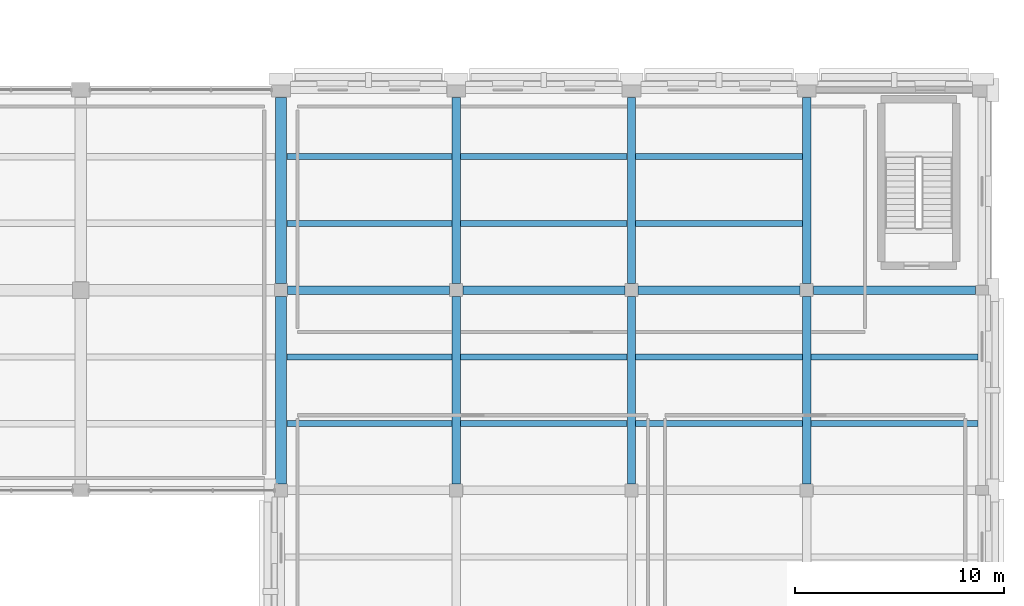
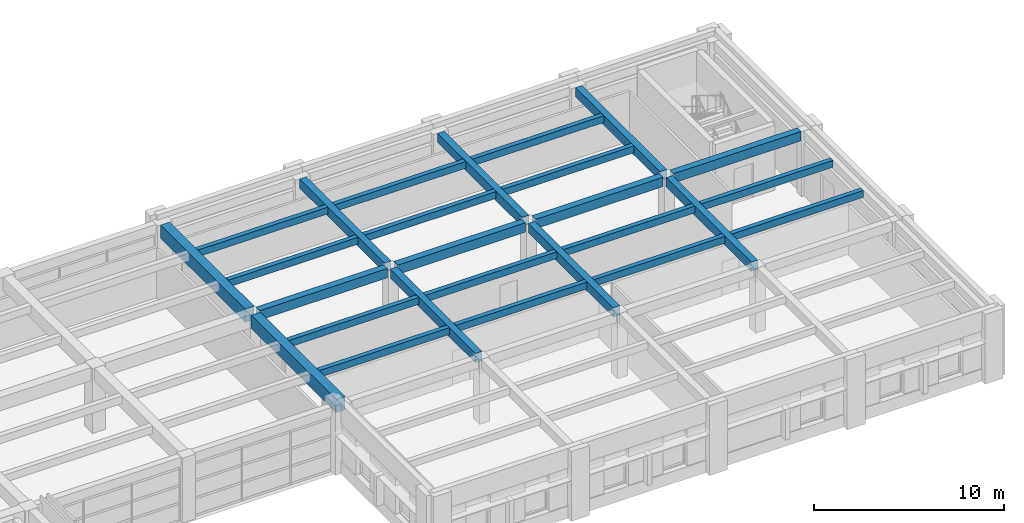
# One storey, part 22 of 49: 26 beams.
"""IFC4 building model written with IfcOpenShell, lengths in metres."""

from ifc_helpers import new_model, si_unit, direction, frame, origin, origin_2d, place, context, subcontext, project, spatial, rectangle, extrude, material, material_profile, profile_set, type_object, element, save


model = new_model("IFC4")

# Units and contexts
model_context = context("Model", 3, precision=1e-05, world=origin(), true_north=direction((0.0, 1.0)))
body_context = subcontext(model_context, "Body", "Model", "MODEL_VIEW")
ifc_project = project(units=[si_unit("LENGTHUNIT", "METRE"), si_unit("AREAUNIT", "SQUARE_METRE"), si_unit("VOLUMEUNIT", "CUBIC_METRE"), si_unit("PLANEANGLEUNIT", "RADIAN"), si_unit("MASSUNIT", "GRAM", prefix="KILO")], contexts=[model_context])

# Site, building, storey
site_placement = place(None, origin())
site = spatial("IfcSite", under=ifc_project, at=site_placement, CompositionType="ELEMENT")
building_placement = place(site_placement, origin())
building = spatial("IfcBuilding", under=site, at=building_placement, Name="Bempovik Park Faculty of Sciences", CompositionType="ELEMENT")
storey_placement = place(building_placement, frame((0.0, 0.0, 5.39990234375)))
storey = spatial("IfcBuildingStorey", under=building, at=storey_placement, Name="L01", CompositionType="ELEMENT", Elevation=5.39990234375)

# Beams
ifc_material_1 = material(Name="Concrete C35/45", Category="concrete")
ifc_material_profile_1 = material_profile(ifc_material_1, rectangle(XDim=0.39990234375, YDim=0.60009765625, at=origin_2d()), Name="RC 400x600")
ifc_profile_set_1 = profile_set([ifc_material_profile_1], Name="Concrete C35/45")
beam_type_1 = type_object("IfcBeamType", Name="B-020 RC 400x600", PredefinedType="BEAM", material=ifc_profile_set_1)
beam_1_placement = place(storey_placement, frame((137.115966796875, 77.39990234375, 3.880126953125), z_axis=(1.0, 0.0, 0.0), x_axis=(0.0, 1.0, 0.0)))
element("IfcBeam", 1, at=beam_1_placement, inside=storey, type_object=beam_type_1, Name="L01 Beam X (136.8-145.2, y=77.4)", PredefinedType="BEAM", context=body_context, shape_type="SweptSolid", body=[
    extrude(rectangle(XDim=0.39990234375, YDim=0.60009765625, at=origin_2d()), origin(), (0.0, 0.0, 1.0), 7.76806640625),
])
beam_2_placement = place(storey_placement, frame((145.51611328125, 77.39990234375, 3.880126953125), z_axis=(1.0, 0.0, 0.0), x_axis=(0.0, 1.0, 0.0)))
element("IfcBeam", 2, at=beam_2_placement, inside=storey, type_object=beam_type_1, Name="L01 Beam X (145.2-153.6, y=77.4)", PredefinedType="BEAM", context=body_context, shape_type="SweptSolid", body=[
    extrude(rectangle(XDim=0.39990234375, YDim=0.60009765625, at=origin_2d()), origin(), (0.0, 0.0, 1.0), 7.767822265625),
])
for number, where, z_axis, x_axis, name in (
    (3, (153.916015625, 77.39990234375, 3.880126953125), (1.0, 0.0, 0.0), (0.0, 1.0, 0.0), "L01 Beam X (153.6-162.0, y=77.4)"),
    (4, (162.31591796875, 77.39990234375, 3.880126953125), (1.0, 0.0, 0.0), (0.0, 1.0, 0.0), "L01 Beam X (162.0-170.4, y=77.4)"),
):
    element("IfcBeam", number, at=place(storey_placement, frame(where, z_axis=z_axis, x_axis=x_axis)), inside=storey, type_object=beam_type_1, Name=name, PredefinedType="BEAM", context=body_context, shape_type="SweptSolid", body=[
        extrude(rectangle(XDim=0.39990234375, YDim=0.60009765625, at=origin_2d()), origin(), (0.0, 0.0, 1.0), 7.76806640625),
    ])
beam_3_placement = place(storey_placement, frame((145.199951171875, 68.115966796875, 3.880126953125), z_axis=(0.0, 1.0, 0.0), x_axis=(-1.0, 0.0, 0.0)))
element("IfcBeam", 5, at=beam_3_placement, inside=storey, type_object=beam_type_1, Name="L01 Beam Y (x=145.2, 67.8-77.4)", PredefinedType="BEAM", context=body_context, shape_type="SweptSolid", body=[
    extrude(rectangle(XDim=0.39990234375, YDim=0.60009765625, at=origin_2d()), origin(), (0.0, 0.0, 1.0), 8.968017578125),
])
beam_4_placement = place(storey_placement, frame((145.199951171875, 77.716064453125, 3.880126953125), z_axis=(0.0, 1.0, 0.0), x_axis=(-1.0, 0.0, 0.0)))
element("IfcBeam", 6, at=beam_4_placement, inside=storey, type_object=beam_type_1, Name="L01 Beam Y (x=145.2, 77.4-87.0)", PredefinedType="BEAM", context=body_context, shape_type="SweptSolid", body=[
    extrude(rectangle(XDim=0.39990234375, YDim=0.60009765625, at=origin_2d()), origin(), (0.0, 0.0, 1.0), 8.927978515625),
])
beam_5_placement = place(storey_placement, frame((153.60009765625, 68.115966796875, 3.880126953125), z_axis=(0.0, 1.0, 0.0), x_axis=(-1.0, 0.0, 0.0)))
element("IfcBeam", 7, at=beam_5_placement, inside=storey, type_object=beam_type_1, Name="L01 Beam Y (x=153.6, 67.8-77.4)", PredefinedType="BEAM", context=body_context, shape_type="SweptSolid", body=[
    extrude(rectangle(XDim=0.39990234375, YDim=0.60009765625, at=origin_2d()), origin(), (0.0, 0.0, 1.0), 8.968017578125),
])
beam_6_placement = place(storey_placement, frame((153.60009765625, 77.716064453125, 3.880126953125), z_axis=(0.0, 1.0, 0.0), x_axis=(-1.0, 0.0, 0.0)))
element("IfcBeam", 8, at=beam_6_placement, inside=storey, type_object=beam_type_1, Name="L01 Beam Y (x=153.6, 77.4-87.0)", PredefinedType="BEAM", context=body_context, shape_type="SweptSolid", body=[
    extrude(rectangle(XDim=0.39990234375, YDim=0.60009765625, at=origin_2d()), origin(), (0.0, 0.0, 1.0), 8.927978515625),
])
beam_7_placement = place(storey_placement, frame((162.0, 68.115966796875, 3.880126953125), z_axis=(0.0, 1.0, 0.0), x_axis=(-1.0, 0.0, 0.0)))
element("IfcBeam", 9, at=beam_7_placement, inside=storey, type_object=beam_type_1, Name="L01 Beam Y (x=162.0, 67.8-77.4)", PredefinedType="BEAM", context=body_context, shape_type="SweptSolid", body=[
    extrude(rectangle(XDim=0.39990234375, YDim=0.60009765625, at=origin_2d()), origin(), (0.0, 0.0, 1.0), 8.968017578125),
])
beam_8_placement = place(storey_placement, frame((162.0, 77.716064453125, 3.880126953125), z_axis=(0.0, 1.0, 0.0), x_axis=(-1.0, 0.0, 0.0)))
element("IfcBeam", 10, at=beam_8_placement, inside=storey, type_object=beam_type_1, Name="L01 Beam Y (x=162.0, 77.4-87.0)", PredefinedType="BEAM", context=body_context, shape_type="SweptSolid", body=[
    extrude(rectangle(XDim=0.39990234375, YDim=0.60009765625, at=origin_2d()), origin(), (0.0, 0.0, 1.0), 8.927978515625),
])
ifc_material_profile_2 = material_profile(ifc_material_1, rectangle(XDim=0.280029296875, YDim=0.43994140625, at=origin_2d()), Name="RC 280x440")
ifc_profile_set_2 = profile_set([ifc_material_profile_2], Name="Concrete C35/45")
beam_type_2 = type_object("IfcBeamType", Name="B-076 RC 280x440", PredefinedType="JOIST", material=ifc_profile_set_2)
for number, where, z_axis, x_axis, name in (
    (11, (137.0810546875, 71.0, 3.960205078125), (1.0, 0.0, 0.0), (0.0, 1.0, 0.0), "L01 Secondary Joist (136.8-145.2, y=71.00)"),
    (12, (137.0810546875, 74.199951171875, 3.960205078125), (1.0, 0.0, 0.0), (0.0, 1.0, 0.0), "L01 Secondary Joist (136.8-145.2, y=74.20)"),
    (13, (137.0810546875, 80.60009765625, 3.960205078125), (1.0, 0.0, 0.0), (0.0, 1.0, 0.0), "L01 Secondary Joist (136.8-145.2, y=80.60)"),
    (14, (137.0810546875, 83.800048828125, 3.960205078125), (1.0, 0.0, 0.0), (0.0, 1.0, 0.0), "L01 Secondary Joist (136.8-145.2, y=83.80)"),
):
    element("IfcBeam", number, at=place(storey_placement, frame(where, z_axis=z_axis, x_axis=x_axis)), inside=storey, type_object=beam_type_2, Name=name, PredefinedType="JOIST", context=body_context, shape_type="SweptSolid", body=[
        extrude(rectangle(XDim=0.280029296875, YDim=0.43994140625, at=origin_2d()), origin(), (0.0, 0.0, 1.0), 7.912841796875),
    ])
for number, where, z_axis, x_axis, name in (
    (15, (145.406005859375, 71.0, 3.960205078125), (1.0, 0.0, 0.0), (0.0, 1.0, 0.0), "L01 Secondary Joist (145.2-153.6, y=71.00)"),
    (16, (145.406005859375, 74.199951171875, 3.960205078125), (1.0, 0.0, 0.0), (0.0, 1.0, 0.0), "L01 Secondary Joist (145.2-153.6, y=74.20)"),
    (17, (145.406005859375, 80.60009765625, 3.960205078125), (1.0, 0.0, 0.0), (0.0, 1.0, 0.0), "L01 Secondary Joist (145.2-153.6, y=80.60)"),
    (18, (145.406005859375, 83.800048828125, 3.960205078125), (1.0, 0.0, 0.0), (0.0, 1.0, 0.0), "L01 Secondary Joist (145.2-153.6, y=83.80)"),
    (19, (153.805908203125, 71.0, 3.960205078125), (1.0, 0.0, 0.0), (0.0, 1.0, 0.0), "L01 Secondary Joist (153.6-162.0, y=71.00)"),
    (20, (153.805908203125, 74.199951171875, 3.960205078125), (1.0, 0.0, 0.0), (0.0, 1.0, 0.0), "L01 Secondary Joist (153.6-162.0, y=74.20)"),
    (21, (153.805908203125, 80.60009765625, 3.960205078125), (1.0, 0.0, 0.0), (0.0, 1.0, 0.0), "L01 Secondary Joist (153.6-162.0, y=80.60)"),
    (22, (153.805908203125, 83.800048828125, 3.960205078125), (1.0, 0.0, 0.0), (0.0, 1.0, 0.0), "L01 Secondary Joist (153.6-162.0, y=83.80)"),
):
    element("IfcBeam", number, at=place(storey_placement, frame(where, z_axis=z_axis, x_axis=x_axis)), inside=storey, type_object=beam_type_2, Name=name, PredefinedType="JOIST", context=body_context, shape_type="SweptSolid", body=[
        extrude(rectangle(XDim=0.280029296875, YDim=0.43994140625, at=origin_2d()), origin(), (0.0, 0.0, 1.0), 7.988037109375),
    ])
for number, where, z_axis, x_axis, name in (
    (23, (162.2060546875, 71.0, 3.960205078125), (1.0, 0.0, 0.0), (0.0, 1.0, 0.0), "L01 Secondary Joist (162.0-170.4, y=71.00)"),
    (24, (162.2060546875, 74.199951171875, 3.960205078125), (1.0, 0.0, 0.0), (0.0, 1.0, 0.0), "L01 Secondary Joist (162.0-170.4, y=74.20)"),
):
    element("IfcBeam", number, at=place(storey_placement, frame(where, z_axis=z_axis, x_axis=x_axis)), inside=storey, type_object=beam_type_2, Name=name, PredefinedType="JOIST", context=body_context, shape_type="SweptSolid", body=[
        extrude(rectangle(XDim=0.280029296875, YDim=0.43994140625, at=origin_2d()), origin(), (0.0, 0.0, 1.0), 8.012939453125),
    ])
ifc_material_2 = material(Name="Concrete C40/50", Category="concrete")
ifc_material_profile_3 = material_profile(ifc_material_2, rectangle(XDim=0.550048828125, YDim=0.85009765625, at=origin_2d()), Name="RC 550x850")
ifc_profile_set_3 = profile_set([ifc_material_profile_3], Name="Concrete C40/50")
beam_type_3 = type_object("IfcBeamType", Name="B-080 RC 550x850", PredefinedType="BEAM", material=ifc_profile_set_3)
beam_9_placement = place(storey_placement, frame((136.800048828125, 68.115966796875, 3.755126953125), z_axis=(0.0, 1.0, 0.0), x_axis=(-1.0, 0.0, 0.0)))
element("IfcBeam", 25, at=beam_9_placement, inside=storey, type_object=beam_type_3, Name="L01 Beam Y (x=136.8, 67.8-77.4)", PredefinedType="BEAM", context=body_context, shape_type="SweptSolid", body=[
    extrude(rectangle(XDim=0.550048828125, YDim=0.85009765625, at=origin_2d()), origin(), (0.0, 0.0, 1.0), 8.968017578125),
])
beam_10_placement = place(storey_placement, frame((136.800048828125, 77.716064453125, 3.755126953125), z_axis=(0.0, 1.0, 0.0), x_axis=(-1.0, 0.0, 0.0)))
element("IfcBeam", 26, at=beam_10_placement, inside=storey, type_object=beam_type_3, Name="L01 Beam Y (x=136.8, 77.4-87.0)", PredefinedType="BEAM", context=body_context, shape_type="SweptSolid", body=[
    extrude(rectangle(XDim=0.550048828125, YDim=0.85009765625, at=origin_2d()), origin(), (0.0, 0.0, 1.0), 8.927978515625),
])

save(model, "model.ifc")
